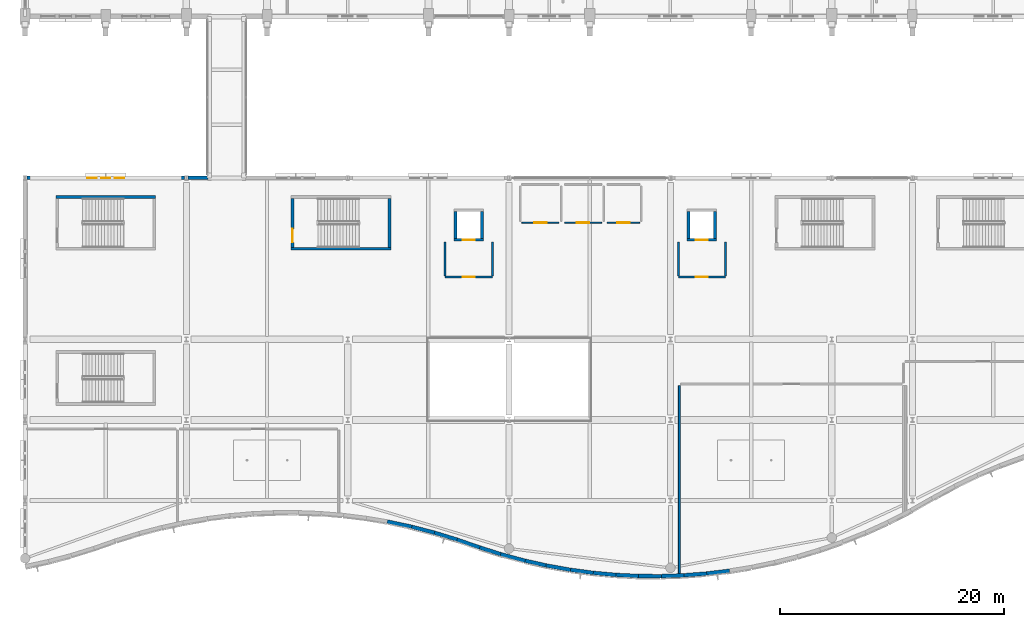
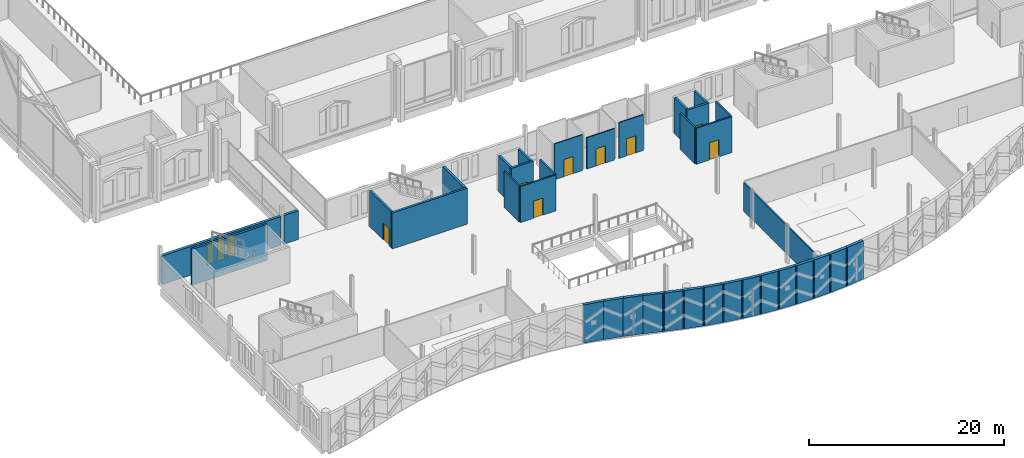
# One storey, part 149 of 220: 37 walls, 8 doors, 3 windows, 11 openings.
"""IFC4 building model written with IfcOpenShell, lengths in metres."""

from ifc_helpers import new_model, si_unit, direction, frame, frame_2d, origin, place, context, subcontext, project, spatial, rectangle, extrude, material, layer, layer_set, type_object, element, fill, save


model = new_model("IFC4")

# Units and contexts
model_context = context("Model", 3, precision=1e-05, world=origin(), true_north=direction((0.0, 1.0)))
body_context = subcontext(model_context, "Body", "Model", "MODEL_VIEW")
ifc_project = project(units=[si_unit("LENGTHUNIT", "METRE"), si_unit("AREAUNIT", "SQUARE_METRE"), si_unit("VOLUMEUNIT", "CUBIC_METRE"), si_unit("PLANEANGLEUNIT", "RADIAN"), si_unit("MASSUNIT", "GRAM", prefix="KILO")], contexts=[model_context])

# Site, building, storey
site_placement = place(None, origin())
site = spatial("IfcSite", under=ifc_project, at=site_placement, CompositionType="ELEMENT")
building_placement = place(site_placement, origin())
building = spatial("IfcBuilding", under=site, at=building_placement, Name="Cendralis Lancet Convention Centre", CompositionType="ELEMENT")
storey_placement = place(building_placement, frame((0.0, 0.0, 5.39990234375)))
storey = spatial("IfcBuildingStorey", under=building, at=storey_placement, Name="L01", CompositionType="ELEMENT", Elevation=5.39990234375)

# Wall, openings, windows
ifc_material_1 = material(Name="Buff sandstone ashlar and Concrete G40 (C40/50)", Category="masonry")
ifc_layer_1 = layer(ifc_material_1, 0.320068359375, Name="Buff sandstone ashlar and Concrete G40 (C40/50)")
ifc_layer_set_1 = layer_set([ifc_layer_1], Name="Buff sandstone ashlar and Concrete G40 (C40/50)")
wall_type_1 = type_object("IfcWallType", Name="ARC-EW-W320", PredefinedType="STANDARD", material=ifc_layer_set_1)
wall_1_placement = place(storey_placement, frame((0.157958984375, 36.0, 0.0), z_axis=(0.0, 0.0, 1.0), x_axis=(1.0, 0.0, 0.0)))
wall_1 = element("IfcWall", 1, at=wall_1_placement, inside=storey, type_object=wall_type_1, Name="L01 V4 Exterior Wall EW-06 #0192", PredefinedType="STANDARD", context=body_context, shape_type="SweptSolid", body=[
    extrude(rectangle(XDim=14.083984375, YDim=0.320068359375, at=frame_2d((7.0419921875, 0.0))), origin(), (0.0, 0.0, 1.0), 3.585205078125),
])
opening_1_placement = place(wall_1_placement, frame((5.382080078125, 0.0, 0.5)))
opening_1 = element("IfcOpeningElement", 2, at=opening_1_placement, cuts=wall_1, Name="Opening WN-15", PredefinedType="OPENING", context=body_context, shape_type="SweptSolid", body=[
    extrude(rectangle(XDim=0.840087890625, YDim=2.699951171875, at=frame_2d((0.419921875, 1.35009765625))), frame((0.0, 0.169921875, 0.0), z_axis=(0.0, -1.0, 0.0), x_axis=(1.0, 0.0, 0.0)), (0.0, 0.0, 1.0), 0.340087890625),
])
opening_2_placement = place(wall_1_placement, frame((6.64208984375, 0.0, 0.5)))
opening_2 = element("IfcOpeningElement", 3, at=opening_2_placement, cuts=wall_1, Name="Opening WN-07", PredefinedType="OPENING", context=body_context, shape_type="SweptSolid", body=[
    extrude(rectangle(XDim=0.800048828125, YDim=2.75, at=frame_2d((0.39990234375, 1.375))), frame((0.0, 0.169921875, 0.0), z_axis=(0.0, -1.0, 0.0), x_axis=(1.0, 0.0, 0.0)), (0.0, 0.0, 1.0), 0.340087890625),
])
opening_3_placement = place(wall_1_placement, frame((7.862060546875, 0.0, 0.5)))
opening_3 = element("IfcOpeningElement", 4, at=opening_3_placement, cuts=wall_1, Name="Opening WN-15", PredefinedType="OPENING", context=body_context, shape_type="SweptSolid", body=[
    extrude(rectangle(XDim=0.840087890625, YDim=2.699951171875, at=frame_2d((0.419921875, 1.35009765625))), frame((0.0, 0.169921875, 0.0), z_axis=(0.0, -1.0, 0.0), x_axis=(1.0, 0.0, 0.0)), (0.0, 0.0, 1.0), 0.340087890625),
])
ifc_material_2 = material(Name="Double-glazed low-E solar-control glass", Category="glass")
window_type_1 = type_object("IfcWindowType", Name="ARC-WN-LW07", PartitioningType="SINGLE_PANEL", PredefinedType="WINDOW", material=ifc_material_2)
window_1_placement = place(opening_2_placement, origin())
window_1 = element("IfcWindow", 5, at=window_1_placement, inside=storey, type_object=window_type_1, Name="Gothic Lancet Window WN-07 #0371", OverallHeight=2.75, OverallWidth=0.800048828125, PartitioningType="SINGLE_PANEL", PredefinedType="WINDOW", context=body_context, shape_type="SweptSolid", body=[
    extrude(rectangle(XDim=0.800048828125, YDim=2.75, at=frame_2d((0.39990234375, 1.375))), frame((0.0, 0.030029296875, 0.0), z_axis=(0.0, -1.0, 0.0), x_axis=(1.0, 0.0, 0.0)), (0.0, 0.0, 1.0), 0.06005859375),
])
fill(opening_2, window_1)
window_type_2 = type_object("IfcWindowType", Name="ARC-WN-LW15", PartitioningType="SINGLE_PANEL", PredefinedType="WINDOW", material=ifc_material_2)
window_2_placement = place(opening_1_placement, origin())
window_2 = element("IfcWindow", 6, at=window_2_placement, inside=storey, type_object=window_type_2, Name="Gothic Lancet Window WN-15 #0370", OverallHeight=2.699951171875, OverallWidth=0.840087890625, PartitioningType="SINGLE_PANEL", PredefinedType="WINDOW", context=body_context, shape_type="SweptSolid", body=[
    extrude(rectangle(XDim=0.840087890625, YDim=2.699951171875, at=frame_2d((0.419921875, 1.35009765625))), frame((0.0, 0.030029296875, 0.0), z_axis=(0.0, -1.0, 0.0), x_axis=(1.0, 0.0, 0.0)), (0.0, 0.0, 1.0), 0.06005859375),
])
fill(opening_1, window_2)
window_3_placement = place(opening_3_placement, origin())
window_3 = element("IfcWindow", 7, at=window_3_placement, inside=storey, type_object=window_type_2, Name="Gothic Lancet Window WN-15 #0372", OverallHeight=2.699951171875, OverallWidth=0.840087890625, PartitioningType="SINGLE_PANEL", PredefinedType="WINDOW", context=body_context, shape_type="SweptSolid", body=[
    extrude(rectangle(XDim=0.840087890625, YDim=2.699951171875, at=frame_2d((0.419921875, 1.35009765625))), frame((0.0, 0.030029296875, 0.0), z_axis=(0.0, -1.0, 0.0), x_axis=(1.0, 0.0, 0.0)), (0.0, 0.0, 1.0), 0.06005859375),
])
fill(opening_3, window_3)

# Walls
wall_2_placement = place(storey_placement, frame((14.55810546875, 36.0, 0.0), z_axis=(0.0, 0.0, 1.0), x_axis=(1.0, 0.0, 0.0)))
element("IfcWall", 8, at=wall_2_placement, inside=storey, type_object=wall_type_1, Name="L01 V4 Exterior Wall EW-06 #0193", PredefinedType="STANDARD", context=body_context, shape_type="SweptSolid", body=[
    extrude(rectangle(XDim=1.761962890625, YDim=0.320068359375, at=frame_2d((0.880859375, 0.0))), origin(), (0.0, 0.0, 1.0), 3.585205078125),
])
ifc_layer_2 = layer(ifc_material_1, 0.340087890625, Name="Buff sandstone ashlar and Concrete G40 (C40/50)")
ifc_layer_set_2 = layer_set([ifc_layer_2], Name="Buff sandstone ashlar and Concrete G40 (C40/50)")
wall_type_2 = type_object("IfcWallType", Name="ARC-EW-W340", PredefinedType="STANDARD", material=ifc_layer_set_2)
wall_3_placement = place(storey_placement, frame((32.32080078125, 5.32763671875, 0.0), z_axis=(0.0, 0.0, 1.0), x_axis=(0.97818986033, -0.2077127756, 0.0)))
element("IfcWall", 9, at=wall_3_placement, inside=storey, type_object=wall_type_2, Name="South Boulevard Wave Wall L01 WP-017-WP-018", PredefinedType="STANDARD", context=body_context, shape_type="SweptSolid", body=[
    extrude(rectangle(XDim=2.240234375, YDim=0.340087890625, at=frame_2d((1.1201171875, 0.0))), origin(), (0.0, 0.0, 1.0), 4.800048828125),
])
wall_4_placement = place(storey_placement, frame((34.3466796875, 4.901123046875, 0.0), z_axis=(0.0, 0.0, 1.0), x_axis=(0.968370793585, -0.249515542867, 0.0)))
element("IfcWall", 10, at=wall_4_placement, inside=storey, type_object=wall_type_2, Name="South Boulevard Wave Wall L01 WP-018-WP-019", PredefinedType="STANDARD", context=body_context, shape_type="SweptSolid", body=[
    extrude(rectangle(XDim=2.26123046875, YDim=0.340087890625, at=frame_2d((1.130615234375, 0.0))), origin(), (0.0, 0.0, 1.0), 4.800048828125),
])
wall_5_placement = place(storey_placement, frame((36.372802734375, 4.3828125, 0.0), z_axis=(0.0, 0.0, 1.0), x_axis=(0.956434397386, -0.291947330006, 0.0)))
element("IfcWall", 11, at=wall_5_placement, inside=storey, type_object=wall_type_2, Name="South Boulevard Wave Wall L01 WP-019-WP-020", PredefinedType="STANDARD", context=body_context, shape_type="SweptSolid", body=[
    extrude(rectangle(XDim=2.287109375, YDim=0.340087890625, at=frame_2d((1.1435546875, 0.0))), origin(), (0.0, 0.0, 1.0), 4.800048828125),
])
wall_6_placement = place(storey_placement, frame((38.398681640625, 3.767822265625, 0.0), z_axis=(0.0, 0.0, 1.0), x_axis=(0.944599198261, -0.328226072464, 0.0)))
element("IfcWall", 12, at=wall_6_placement, inside=storey, type_object=wall_type_2, Name="South Boulevard Wave Wall L01 WP-020-WP-021", PredefinedType="STANDARD", context=body_context, shape_type="SweptSolid", body=[
    extrude(rectangle(XDim=2.314697265625, YDim=0.340087890625, at=frame_2d((1.1572265625, 0.0))), origin(), (0.0, 0.0, 1.0), 4.800048828125),
])
wall_7_placement = place(storey_placement, frame((40.424072265625, 3.061767578125, 0.0), z_axis=(0.0, 0.0, 1.0), x_axis=(0.953087731767, -0.302694194784, 0.0)))
element("IfcWall", 13, at=wall_7_placement, inside=storey, type_object=wall_type_2, Name="South Boulevard Wave Wall L01 WP-021-WP-022", PredefinedType="STANDARD", context=body_context, shape_type="SweptSolid", body=[
    extrude(rectangle(XDim=2.294677734375, YDim=0.340087890625, at=frame_2d((1.1474609375, 0.0))), origin(), (0.0, 0.0, 1.0), 4.800048828125),
])
wall_8_placement = place(storey_placement, frame((42.447998046875, 2.415283203125, 0.0), z_axis=(0.0, 0.0, 1.0), x_axis=(0.965377316221, -0.26085750387, 0.0)))
element("IfcWall", 14, at=wall_8_placement, inside=storey, type_object=wall_type_2, Name="South Boulevard Wave Wall L01 WP-022-WP-023", PredefinedType="STANDARD", context=body_context, shape_type="SweptSolid", body=[
    extrude(rectangle(XDim=2.267822265625, YDim=0.340087890625, at=frame_2d((1.1337890625, 0.0))), origin(), (0.0, 0.0, 1.0), 4.800048828125),
])
wall_9_placement = place(storey_placement, frame((44.47216796875, 1.864501953125, 0.0), z_axis=(0.0, 0.0, 1.0), x_axis=(0.975886725663, -0.218277572541, 0.0)))
element("IfcWall", 15, at=wall_9_placement, inside=storey, type_object=wall_type_2, Name="South Boulevard Wave Wall L01 WP-023-WP-024", PredefinedType="STANDARD", context=body_context, shape_type="SweptSolid", body=[
    extrude(rectangle(XDim=2.244873046875, YDim=0.340087890625, at=frame_2d((1.12255859375, 0.0))), origin(), (0.0, 0.0, 1.0), 4.800048828125),
])
wall_10_placement = place(storey_placement, frame((46.496337890625, 1.407958984375, 0.0), z_axis=(0.0, 0.0, 1.0), x_axis=(0.984319043851, -0.17639733533, 0.0)))
element("IfcWall", 16, at=wall_10_placement, inside=storey, type_object=wall_type_2, Name="South Boulevard Wave Wall L01 WP-024-WP-025", PredefinedType="STANDARD", context=body_context, shape_type="SweptSolid", body=[
    extrude(rectangle(XDim=2.228271484375, YDim=0.340087890625, at=frame_2d((1.1142578125, 0.0))), origin(), (0.0, 0.0, 1.0), 4.800048828125),
])
wall_11_placement = place(storey_placement, frame((48.521728515625, 1.04150390625, 0.0), z_axis=(0.0, 0.0, 1.0), x_axis=(0.991022475508, -0.133695374033, 0.0)))
element("IfcWall", 17, at=wall_11_placement, inside=storey, type_object=wall_type_2, Name="South Boulevard Wave Wall L01 WP-025-WP-026", PredefinedType="STANDARD", context=body_context, shape_type="SweptSolid", body=[
    extrude(rectangle(XDim=2.213134765625, YDim=0.340087890625, at=frame_2d((1.1064453125, 0.0))), origin(), (0.0, 0.0, 1.0), 4.800048828125),
])
wall_12_placement = place(storey_placement, frame((50.54638671875, 0.764892578125, 0.0), z_axis=(0.0, 0.0, 1.0), x_axis=(0.995762309329, -0.091964250222, 0.0)))
element("IfcWall", 18, at=wall_12_placement, inside=storey, type_object=wall_type_2, Name="South Boulevard Wave Wall L01 WP-026-WP-027", PredefinedType="STANDARD", context=body_context, shape_type="SweptSolid", body=[
    extrude(rectangle(XDim=2.203369140625, YDim=0.340087890625, at=frame_2d((1.1015625, 0.0))), origin(), (0.0, 0.0, 1.0), 4.800048828125),
])
wall_13_placement = place(storey_placement, frame((52.571044921875, 0.57421875, 0.0), z_axis=(0.0, 0.0, 1.0), x_axis=(0.998760636529, -0.049771386559, 0.0)))
element("IfcWall", 19, at=wall_13_placement, inside=storey, type_object=wall_type_2, Name="South Boulevard Wave Wall L01 WP-027-WP-028", PredefinedType="STANDARD", context=body_context, shape_type="SweptSolid", body=[
    extrude(rectangle(XDim=2.197509765625, YDim=0.340087890625, at=frame_2d((1.0986328125, 0.0))), origin(), (0.0, 0.0, 1.0), 4.800048828125),
])
wall_14_placement = place(storey_placement, frame((54.595947265625, 0.469482421875, 0.0), z_axis=(0.0, 0.0, 1.0), x_axis=(0.999976224925, -0.006895620726, 0.0)))
element("IfcWall", 20, at=wall_14_placement, inside=storey, type_object=wall_type_2, Name="South Boulevard Wave Wall L01 WP-028-WP-029", PredefinedType="STANDARD", context=body_context, shape_type="SweptSolid", body=[
    extrude(rectangle(XDim=2.195068359375, YDim=0.340087890625, at=frame_2d((1.09765625, 0.0))), origin(), (0.0, 0.0, 1.0), 4.800048828125),
])
wall_15_placement = place(storey_placement, frame((56.62109375, 0.4521484375, 0.0), z_axis=(0.0, 0.0, 1.0), x_axis=(0.999406527119, 0.034446967246, 0.0)))
element("IfcWall", 21, at=wall_15_placement, inside=storey, type_object=wall_type_2, Name="South Boulevard Wave Wall L01 WP-029-WP-030", PredefinedType="STANDARD", context=body_context, shape_type="SweptSolid", body=[
    extrude(rectangle(XDim=2.197021484375, YDim=0.340087890625, at=frame_2d((1.0986328125, 0.0))), origin(), (0.0, 0.0, 1.0), 4.800048828125),
])
wall_16_placement = place(storey_placement, frame((58.647216796875, 0.5185546875, 0.0), z_axis=(0.0, 0.0, 1.0), x_axis=(0.997049916485, 0.076755872979, 0.0)))
element("IfcWall", 22, at=wall_16_placement, inside=storey, type_object=wall_type_2, Name="South Boulevard Wave Wall L01 WP-030-WP-031", PredefinedType="STANDARD", context=body_context, shape_type="SweptSolid", body=[
    extrude(rectangle(XDim=2.201171875, YDim=0.340087890625, at=frame_2d((1.1005859375, 0.0))), origin(), (0.0, 0.0, 1.0), 4.800048828125),
])
wall_17_placement = place(storey_placement, frame((60.672607421875, 0.6708984375, 0.0), z_axis=(0.0, 0.0, 1.0), x_axis=(0.992815540245, 0.119654933239, 0.0)))
element("IfcWall", 23, at=wall_17_placement, inside=storey, type_object=wall_type_2, Name="South Boulevard Wave Wall L01 WP-031-WP-032", PredefinedType="STANDARD", context=body_context, shape_type="SweptSolid", body=[
    extrude(rectangle(XDim=2.209716796875, YDim=0.340087890625, at=frame_2d((1.10498046875, 0.0))), origin(), (0.0, 0.0, 1.0), 4.800048828125),
])

# Wall, opening, door
ifc_material_3 = material(Name="Acoustic fire-rated gypsum board on steel studs", Category="steel")
ifc_layer_3 = layer(ifc_material_3, 0.1201171875, Name="Acoustic fire-rated gypsum board on steel studs")
ifc_layer_set_3 = layer_set([ifc_layer_3], Name="Acoustic fire-rated gypsum board on steel studs")
wall_type_3 = type_object("IfcWallType", Name="ARC-IW-P120", PredefinedType="PARTITIONING", material=ifc_layer_set_3)
wall_18_placement = place(storey_placement, frame((44.35009765625, 32.0, 0.0), z_axis=(0.0, 0.0, 1.0), x_axis=(1.0, 0.0, 0.0)))
wall_18 = element("IfcWall", 24, at=wall_18_placement, inside=storey, type_object=wall_type_3, Name="L01 Interior Partition IW-05 #0245", PredefinedType="PARTITIONING", context=body_context, shape_type="SweptSolid", body=[
    extrude(rectangle(XDim=3.2998046875, YDim=0.1201171875, at=frame_2d((1.64990234375, 0.0))), origin(), (0.0, 0.0, 1.0), 4.485107421875),
])
opening_4_placement = place(wall_18_placement, frame((1.10009765625, 0.0, 0.0)))
opening_4 = element("IfcOpeningElement", 25, at=opening_4_placement, cuts=wall_18, Name="Opening FD-11", PredefinedType="OPENING", context=body_context, shape_type="SweptSolid", body=[
    extrude(rectangle(XDim=1.10009765625, YDim=2.14990234375, at=frame_2d((0.550048828125, 1.074951171875))), frame((0.0, 0.070068359375, 0.0), z_axis=(0.0, -1.0, 0.0), x_axis=(1.0, 0.0, 0.0)), (0.0, 0.0, 1.0), 0.14013671875),
])
ifc_material_4 = material(Name="Steel S355", Category="steel")
door_type_1 = type_object("IfcDoorType", Name="ARC-DR-FF11", OperationType="NOTDEFINED", PredefinedType="DOOR", material=ifc_material_4)
door_1_placement = place(opening_4_placement, frame((1.10009765625, 0.0, 0.0), z_axis=(0.0, 0.0, 1.0), x_axis=(-1.0, 0.0, 0.0)))
door_1 = element("IfcDoor", 26, at=door_1_placement, inside=storey, type_object=door_type_1, Name="L01-D030 L01 Interior Door FD-11 #0081", OperationType="SINGLE_SWING_RIGHT", OverallHeight=2.14990234375, OverallWidth=1.10009765625, PredefinedType="DOOR", context=body_context, shape_type="SweptSolid", body=[
    extrude(rectangle(XDim=1.10009765625, YDim=2.14990234375, at=frame_2d((0.550048828125, 1.074951171875))), frame((0.0, 0.02490234375, 0.0), z_axis=(0.0, -1.0, 0.0), x_axis=(1.0, 0.0, 0.0)), (0.0, 0.0, 1.0), 0.050048828125),
])
fill(opening_4, door_1)

wall_19_placement = place(storey_placement, frame((48.14990234375, 32.0, 0.0), z_axis=(0.0, 0.0, 1.0), x_axis=(1.0, 0.0, 0.0)))
wall_19 = element("IfcWall", 27, at=wall_19_placement, inside=storey, type_object=wall_type_3, Name="L01 Interior Partition IW-05 #0249", PredefinedType="PARTITIONING", context=body_context, shape_type="SweptSolid", body=[
    extrude(rectangle(XDim=3.300048828125, YDim=0.1201171875, at=frame_2d((1.64990234375, 0.0))), origin(), (0.0, 0.0, 1.0), 3.93505859375),
])
opening_5_placement = place(wall_19_placement, frame((1.10009765625, 0.0, 0.0)))
opening_5 = element("IfcOpeningElement", 28, at=opening_5_placement, cuts=wall_19, Name="Opening FD-11", PredefinedType="OPENING", context=body_context, shape_type="SweptSolid", body=[
    extrude(rectangle(XDim=1.10009765625, YDim=2.14990234375, at=frame_2d((0.550048828125, 1.074951171875))), frame((0.0, 0.070068359375, 0.0), z_axis=(0.0, -1.0, 0.0), x_axis=(1.0, 0.0, 0.0)), (0.0, 0.0, 1.0), 0.14013671875),
])
door_2_placement = place(opening_5_placement, origin())
door_2 = element("IfcDoor", 29, at=door_2_placement, inside=storey, type_object=door_type_1, Name="L01-D031 L01 Interior Door FD-11 #0082", OperationType="SINGLE_SWING_LEFT", OverallHeight=2.14990234375, OverallWidth=1.10009765625, PredefinedType="DOOR", context=body_context, shape_type="SweptSolid", body=[
    extrude(rectangle(XDim=1.10009765625, YDim=2.14990234375, at=frame_2d((0.550048828125, 1.074951171875))), frame((0.0, 0.02490234375, 0.0), z_axis=(0.0, -1.0, 0.0), x_axis=(1.0, 0.0, 0.0)), (0.0, 0.0, 1.0), 0.050048828125),
])
fill(opening_5, door_2)

wall_20_placement = place(storey_placement, frame((51.949951171875, 32.0, 0.0), z_axis=(0.0, 0.0, 1.0), x_axis=(1.0, 0.0, 0.0)))
wall_20 = element("IfcWall", 30, at=wall_20_placement, inside=storey, type_object=wall_type_3, Name="L01 Interior Partition IW-05 #0252", PredefinedType="PARTITIONING", context=body_context, shape_type="SweptSolid", body=[
    extrude(rectangle(XDim=2.900146484375, YDim=0.1201171875, at=frame_2d((1.4501953125, 0.0))), origin(), (0.0, 0.0, 1.0), 4.485107421875),
])
opening_6_placement = place(wall_20_placement, frame((0.89990234375, 0.0, 0.0)))
opening_6 = element("IfcOpeningElement", 31, at=opening_6_placement, cuts=wall_20, Name="Opening FD-11", PredefinedType="OPENING", context=body_context, shape_type="SweptSolid", body=[
    extrude(rectangle(XDim=1.10009765625, YDim=2.14990234375, at=frame_2d((0.550048828125, 1.074951171875))), frame((0.0, 0.070068359375, 0.0), z_axis=(0.0, -1.0, 0.0), x_axis=(1.0, 0.0, 0.0)), (0.0, 0.0, 1.0), 0.14013671875),
])
door_3_placement = place(opening_6_placement, frame((1.10009765625, 0.0, 0.0), z_axis=(0.0, 0.0, 1.0), x_axis=(-1.0, 0.0, 0.0)))
door_3 = element("IfcDoor", 32, at=door_3_placement, inside=storey, type_object=door_type_1, Name="L01-D032 L01 Interior Door FD-11 #0083", OperationType="SINGLE_SWING_RIGHT", OverallHeight=2.14990234375, OverallWidth=1.10009765625, PredefinedType="DOOR", context=body_context, shape_type="SweptSolid", body=[
    extrude(rectangle(XDim=1.10009765625, YDim=2.14990234375, at=frame_2d((0.550048828125, 1.074951171875))), frame((0.0, 0.02490234375, 0.0), z_axis=(0.0, -1.0, 0.0), x_axis=(1.0, 0.0, 0.0)), (0.0, 0.0, 1.0), 0.050048828125),
])
fill(opening_6, door_3)

# Wall
ifc_layer_4 = layer(ifc_material_3, 0.159912109375, Name="Acoustic fire-rated gypsum board on steel studs")
ifc_layer_set_4 = layer_set([ifc_layer_4], Name="Acoustic fire-rated gypsum board on steel studs")
wall_type_4 = type_object("IfcWallType", Name="ARC-IW-P160", PredefinedType="PARTITIONING", material=ifc_layer_set_4)
wall_21_placement = place(storey_placement, frame((58.39990234375, 0.697509765625, 0.0), z_axis=(0.0, 0.0, 1.0), x_axis=(0.0, 1.0, 0.0)))
element("IfcWall", 33, at=wall_21_placement, inside=storey, type_object=wall_type_4, Name="L01 Interior Partition IW-03 #0231", PredefinedType="PARTITIONING", context=body_context, shape_type="SweptSolid", body=[
    extrude(rectangle(XDim=16.762451171875, YDim=0.159912109375, at=frame_2d((8.38134765625, 0.0))), origin(), (0.0, 0.0, 1.0), 3.53515625),
])

# Wall, opening, door
ifc_layer_5 = layer(ifc_material_3, 0.179931640625, Name="Acoustic fire-rated gypsum board on steel studs")
ifc_layer_set_5 = layer_set([ifc_layer_5], Name="Acoustic fire-rated gypsum board on steel studs")
wall_type_5 = type_object("IfcWallType", Name="ARC-IW-P180", PredefinedType="PARTITIONING", material=ifc_layer_set_5)
wall_22_placement = place(storey_placement, frame((41.699951171875, 27.14990234375, 0.0), z_axis=(0.0, 0.0, 1.0), x_axis=(-1.0, 0.0, 0.0)))
wall_22 = element("IfcWall", 34, at=wall_22_placement, inside=storey, type_object=wall_type_5, Name="L01 Lift Lobby LP-03 Front Wall", PredefinedType="PARTITIONING", context=body_context, shape_type="SweptSolid", body=[
    extrude(rectangle(XDim=4.199951171875, YDim=0.179931640625, at=frame_2d((2.10009765625, 0.0))), origin(), (0.0, 0.0, 1.0), 4.5),
])
opening_7_placement = place(wall_22_placement, frame((1.550048828125, 0.0, 0.0)))
opening_7 = element("IfcOpeningElement", 35, at=opening_7_placement, cuts=wall_22, Name="Opening FD-11", PredefinedType="OPENING", context=body_context, shape_type="SweptSolid", body=[
    extrude(rectangle(XDim=1.10009765625, YDim=2.14990234375, at=frame_2d((0.550048828125, 1.074951171875))), frame((0.0, 0.099853515625, 0.0), z_axis=(0.0, -1.0, 0.0), x_axis=(1.0, 0.0, 0.0)), (0.0, 0.0, 1.0), 0.199951171875),
])
door_4_placement = place(opening_7_placement, origin())
door_4 = element("IfcDoor", 36, at=door_4_placement, inside=storey, type_object=door_type_1, Name="L01-D062 L01 Lift Lobby LP-03 Fire Door", OperationType="SINGLE_SWING_LEFT", OverallHeight=2.14990234375, OverallWidth=1.10009765625, PredefinedType="DOOR", context=body_context, shape_type="SweptSolid", body=[
    extrude(rectangle(XDim=1.10009765625, YDim=2.14990234375, at=frame_2d((0.550048828125, 1.074951171875))), frame((0.0, 0.02490234375, 0.0), z_axis=(0.0, -1.0, 0.0), x_axis=(1.0, 0.0, 0.0)), (0.0, 0.0, 1.0), 0.050048828125),
])
fill(opening_7, door_4)

# Walls
for number, where, z_axis, x_axis, name in (
    (37, (37.5, 27.25, 0.0), (0.0, 0.0, 1.0), (0.0, 1.0, 0.0), "L01 Lift Lobby LP-03 West Wall"),
    (38, (41.699951171875, 27.25, 0.0), (0.0, 0.0, 1.0), (0.0, 1.0, 0.0), "L01 Lift Lobby LP-03 East Wall"),
):
    element("IfcWall", number, at=place(storey_placement, frame(where, z_axis=z_axis, x_axis=x_axis)), inside=storey, type_object=wall_type_5, Name=name, PredefinedType="PARTITIONING", context=body_context, shape_type="SweptSolid", body=[
        extrude(rectangle(XDim=3.050048828125, YDim=0.179931640625, at=frame_2d((1.52490234375, 0.0))), origin(), (0.0, 0.0, 1.0), 4.5),
    ])

# Wall, opening, door
wall_23_placement = place(storey_placement, frame((62.5, 27.14990234375, 0.0), z_axis=(0.0, 0.0, 1.0), x_axis=(-1.0, 0.0, 0.0)))
wall_23 = element("IfcWall", 39, at=wall_23_placement, inside=storey, type_object=wall_type_5, Name="L01 Lift Lobby LP-04 Front Wall", PredefinedType="PARTITIONING", context=body_context, shape_type="SweptSolid", body=[
    extrude(rectangle(XDim=4.199951171875, YDim=0.179931640625, at=frame_2d((2.10009765625, 0.0))), origin(), (0.0, 0.0, 1.0), 4.5),
])
opening_8_placement = place(wall_23_placement, frame((1.550048828125, 0.0, 0.0)))
opening_8 = element("IfcOpeningElement", 40, at=opening_8_placement, cuts=wall_23, Name="Opening FD-11", PredefinedType="OPENING", context=body_context, shape_type="SweptSolid", body=[
    extrude(rectangle(XDim=1.10009765625, YDim=2.14990234375, at=frame_2d((0.550048828125, 1.074951171875))), frame((0.0, 0.099853515625, 0.0), z_axis=(0.0, -1.0, 0.0), x_axis=(1.0, 0.0, 0.0)), (0.0, 0.0, 1.0), 0.199951171875),
])
door_5_placement = place(opening_8_placement, origin())
door_5 = element("IfcDoor", 41, at=door_5_placement, inside=storey, type_object=door_type_1, Name="L01-D063 L01 Lift Lobby LP-04 Fire Door", OperationType="SINGLE_SWING_RIGHT", OverallHeight=2.14990234375, OverallWidth=1.10009765625, PredefinedType="DOOR", context=body_context, shape_type="SweptSolid", body=[
    extrude(rectangle(XDim=1.10009765625, YDim=2.14990234375, at=frame_2d((0.550048828125, 1.074951171875))), frame((0.0, 0.02490234375, 0.0), z_axis=(0.0, -1.0, 0.0), x_axis=(1.0, 0.0, 0.0)), (0.0, 0.0, 1.0), 0.050048828125),
])
fill(opening_8, door_5)

# Walls
for number, where, z_axis, x_axis, name in (
    (42, (58.300048828125, 27.25, 0.0), (0.0, 0.0, 1.0), (0.0, 1.0, 0.0), "L01 Lift Lobby LP-04 West Wall"),
    (43, (62.5, 27.25, 0.0), (0.0, 0.0, 1.0), (0.0, 1.0, 0.0), "L01 Lift Lobby LP-04 East Wall"),
):
    element("IfcWall", number, at=place(storey_placement, frame(where, z_axis=z_axis, x_axis=x_axis)), inside=storey, type_object=wall_type_5, Name=name, PredefinedType="PARTITIONING", context=body_context, shape_type="SweptSolid", body=[
        extrude(rectangle(XDim=3.050048828125, YDim=0.179931640625, at=frame_2d((1.52490234375, 0.0))), origin(), (0.0, 0.0, 1.0), 4.5),
    ])

# Wall, opening, door
ifc_material_5 = material(Name="Concrete G40 (C40/50)", Category="concrete")
ifc_layer_6 = layer(ifc_material_5, 0.25, Name="Concrete G40 (C40/50)")
ifc_layer_set_6 = layer_set([ifc_layer_6], Name="Concrete G40 (C40/50)")
wall_type_6 = type_object("IfcWallType", Name="STR-SW-CW250", PredefinedType="SHEAR", material=ifc_layer_set_6)
wall_24_placement = place(storey_placement, frame((23.875, 29.800048828125, 0.0), z_axis=(0.0, 0.0, 1.0), x_axis=(0.0, 1.0, 0.0)))
wall_24 = element("IfcWall", 44, at=wall_24_placement, inside=storey, type_object=wall_type_6, Name="L01 Stair Core ST-11 West Shear Wall", PredefinedType="SHEAR", context=body_context, shape_type="SweptSolid", body=[
    extrude(rectangle(XDim=4.3798828125, YDim=0.25, at=frame_2d((2.18994140625, 0.0))), origin(), (0.0, 0.0, 1.0), 4.5),
])
opening_9_placement = place(wall_24_placement, frame((0.449951171875, 0.0, 0.0)))
opening_9 = element("IfcOpeningElement", 45, at=opening_9_placement, cuts=wall_24, Name="Opening SD-12", PredefinedType="OPENING", context=body_context, shape_type="SweptSolid", body=[
    extrude(rectangle(XDim=1.199951171875, YDim=2.14990234375, at=frame_2d((0.60009765625, 1.074951171875))), frame((0.0, 0.135009765625, 0.0), z_axis=(0.0, -1.0, 0.0), x_axis=(1.0, 0.0, 0.0)), (0.0, 0.0, 1.0), 0.27001953125),
])
door_type_2 = type_object("IfcDoorType", Name="ARC-DR-ST12", OperationType="NOTDEFINED", PredefinedType="DOOR", material=ifc_material_4)
door_6_placement = place(opening_9_placement, frame((1.199951171875, 0.0, 0.0), z_axis=(0.0, 0.0, 1.0), x_axis=(-1.0, 0.0, 0.0)))
door_6 = element("IfcDoor", 46, at=door_6_placement, inside=storey, type_object=door_type_2, Name="L01-D078 L01 Exit Stair ST-11 Fire Door", OperationType="SINGLE_SWING_RIGHT", OverallHeight=2.14990234375, OverallWidth=1.199951171875, PredefinedType="DOOR", context=body_context, shape_type="SweptSolid", body=[
    extrude(rectangle(XDim=1.199951171875, YDim=2.14990234375, at=frame_2d((0.60009765625, 1.074951171875))), frame((0.0, 0.02490234375, 0.0), z_axis=(0.0, -1.0, 0.0), x_axis=(1.0, 0.0, 0.0)), (0.0, 0.0, 1.0), 0.050048828125),
])
fill(opening_9, door_6)

# Walls
wall_25_placement = place(storey_placement, frame((32.52490234375, 29.800048828125, 0.0), z_axis=(0.0, 0.0, 1.0), x_axis=(0.0, 1.0, 0.0)))
element("IfcWall", 47, at=wall_25_placement, inside=storey, type_object=wall_type_6, Name="L01 Stair Core ST-11 East Shear Wall", PredefinedType="SHEAR", context=body_context, shape_type="SweptSolid", body=[
    extrude(rectangle(XDim=4.3798828125, YDim=0.25, at=frame_2d((2.18994140625, 0.0))), origin(), (0.0, 0.0, 1.0), 4.5),
])
for number, where, z_axis, x_axis, name in (
    (48, (23.75, 29.675048828125, 0.0), (0.0, 0.0, 1.0), (1.0, 0.0, 0.0), "L01 Stair Core ST-11 South Shear Wall"),
    (49, (2.75, 34.304931640625, 0.0), (0.0, 0.0, 1.0), (1.0, 0.0, 0.0), "L01 Stair Core ST-20 North Shear Wall"),
):
    element("IfcWall", number, at=place(storey_placement, frame(where, z_axis=z_axis, x_axis=x_axis)), inside=storey, type_object=wall_type_6, Name=name, PredefinedType="SHEAR", context=body_context, shape_type="SweptSolid", body=[
        extrude(rectangle(XDim=8.89990234375, YDim=0.25, at=frame_2d((4.449951171875, 0.0))), origin(), (0.0, 0.0, 1.0), 4.5),
    ])

# Wall, opening, door
wall_26_placement = place(storey_placement, frame((38.300048828125, 30.47509765625, 0.0), z_axis=(0.0, 0.0, 1.0), x_axis=(1.0, 0.0, 0.0)))
wall_26 = element("IfcWall", 50, at=wall_26_placement, inside=storey, type_object=wall_type_6, Name="L01 Lift LP-03 South Shaft Wall", PredefinedType="SHEAR", context=body_context, shape_type="SweptSolid", body=[
    extrude(rectangle(XDim=2.599853515625, YDim=0.25, at=frame_2d((1.2998046875, 0.0))), origin(), (0.0, 0.0, 1.0), 4.5),
])
opening_10_placement = place(wall_26_placement, frame((0.75, 0.0, 0.0)))
opening_10 = element("IfcOpeningElement", 51, at=opening_10_placement, cuts=wall_26, Name="Opening LD-11", PredefinedType="OPENING", context=body_context, shape_type="SweptSolid", body=[
    extrude(rectangle(XDim=1.10009765625, YDim=2.14990234375, at=frame_2d((0.550048828125, 1.074951171875))), frame((0.0, 0.135009765625, 0.0), z_axis=(0.0, -1.0, 0.0), x_axis=(1.0, 0.0, 0.0)), (0.0, 0.0, 1.0), 0.27001953125),
])
ifc_material_6 = material(Name="Anodised bronze architectural aluminium", Category="aluminium")
door_type_3 = type_object("IfcDoorType", Name="ARC-DR-LD11", OperationType="NOTDEFINED", PredefinedType="DOOR", material=ifc_material_6)
door_7_placement = place(opening_10_placement, origin())
door_7 = element("IfcDoor", 52, at=door_7_placement, inside=storey, type_object=door_type_3, Name="L01-D048 L01 Lift LP-03 Sliding Landing Door", OperationType="SLIDING_TO_LEFT", OverallHeight=2.14990234375, OverallWidth=1.10009765625, PredefinedType="DOOR", context=body_context, shape_type="SweptSolid", body=[
    extrude(rectangle(XDim=1.10009765625, YDim=2.14990234375, at=frame_2d((0.550048828125, 1.074951171875))), frame((0.0, 0.02490234375, 0.0), z_axis=(0.0, -1.0, 0.0), x_axis=(1.0, 0.0, 0.0)), (0.0, 0.0, 1.0), 0.050048828125),
])
fill(opening_10, door_7)

# Walls
for number, where, z_axis, x_axis, name in (
    (53, (38.425048828125, 30.60009765625, 0.0), (0.0, 0.0, 1.0), (0.0, 1.0, 0.0), "L01 Lift LP-03 West Shaft Wall"),
    (54, (40.77490234375, 30.60009765625, 0.0), (0.0, 0.0, 1.0), (0.0, 1.0, 0.0), "L01 Lift LP-03 East Shaft Wall"),
):
    element("IfcWall", number, at=place(storey_placement, frame(where, z_axis=z_axis, x_axis=x_axis)), inside=storey, type_object=wall_type_6, Name=name, PredefinedType="SHEAR", context=body_context, shape_type="SweptSolid", body=[
        extrude(rectangle(XDim=2.39990234375, YDim=0.25, at=frame_2d((1.199951171875, 0.0))), origin(), (0.0, 0.0, 1.0), 4.5),
    ])

# Wall, opening, door
wall_27_placement = place(storey_placement, frame((59.10009765625, 30.47509765625, 0.0), z_axis=(0.0, 0.0, 1.0), x_axis=(1.0, 0.0, 0.0)))
wall_27 = element("IfcWall", 55, at=wall_27_placement, inside=storey, type_object=wall_type_6, Name="L01 Lift LP-04 South Shaft Wall", PredefinedType="SHEAR", context=body_context, shape_type="SweptSolid", body=[
    extrude(rectangle(XDim=2.599853515625, YDim=0.25, at=frame_2d((1.2998046875, 0.0))), origin(), (0.0, 0.0, 1.0), 4.5),
])
opening_11_placement = place(wall_27_placement, frame((0.75, 0.0, 0.0)))
opening_11 = element("IfcOpeningElement", 56, at=opening_11_placement, cuts=wall_27, Name="Opening LD-11", PredefinedType="OPENING", context=body_context, shape_type="SweptSolid", body=[
    extrude(rectangle(XDim=1.10009765625, YDim=2.14990234375, at=frame_2d((0.550048828125, 1.074951171875))), frame((0.0, 0.135009765625, 0.0), z_axis=(0.0, -1.0, 0.0), x_axis=(1.0, 0.0, 0.0)), (0.0, 0.0, 1.0), 0.27001953125),
])
door_8_placement = place(opening_11_placement, origin())
door_8 = element("IfcDoor", 57, at=door_8_placement, inside=storey, type_object=door_type_3, Name="L01-D049 L01 Lift LP-04 Sliding Landing Door", OperationType="SLIDING_TO_RIGHT", OverallHeight=2.14990234375, OverallWidth=1.10009765625, PredefinedType="DOOR", context=body_context, shape_type="SweptSolid", body=[
    extrude(rectangle(XDim=1.10009765625, YDim=2.14990234375, at=frame_2d((0.550048828125, 1.074951171875))), frame((0.0, 0.02490234375, 0.0), z_axis=(0.0, -1.0, 0.0), x_axis=(1.0, 0.0, 0.0)), (0.0, 0.0, 1.0), 0.050048828125),
])
fill(opening_11, door_8)

# Walls
for number, where, z_axis, x_axis, name in (
    (58, (59.22509765625, 30.60009765625, 0.0), (0.0, 0.0, 1.0), (0.0, 1.0, 0.0), "L01 Lift LP-04 West Shaft Wall"),
    (59, (61.574951171875, 30.60009765625, 0.0), (0.0, 0.0, 1.0), (0.0, 1.0, 0.0), "L01 Lift LP-04 East Shaft Wall"),
):
    element("IfcWall", number, at=place(storey_placement, frame(where, z_axis=z_axis, x_axis=x_axis)), inside=storey, type_object=wall_type_6, Name=name, PredefinedType="SHEAR", context=body_context, shape_type="SweptSolid", body=[
        extrude(rectangle(XDim=2.39990234375, YDim=0.25, at=frame_2d((1.199951171875, 0.0))), origin(), (0.0, 0.0, 1.0), 4.5),
    ])

save(model, "model.ifc")
